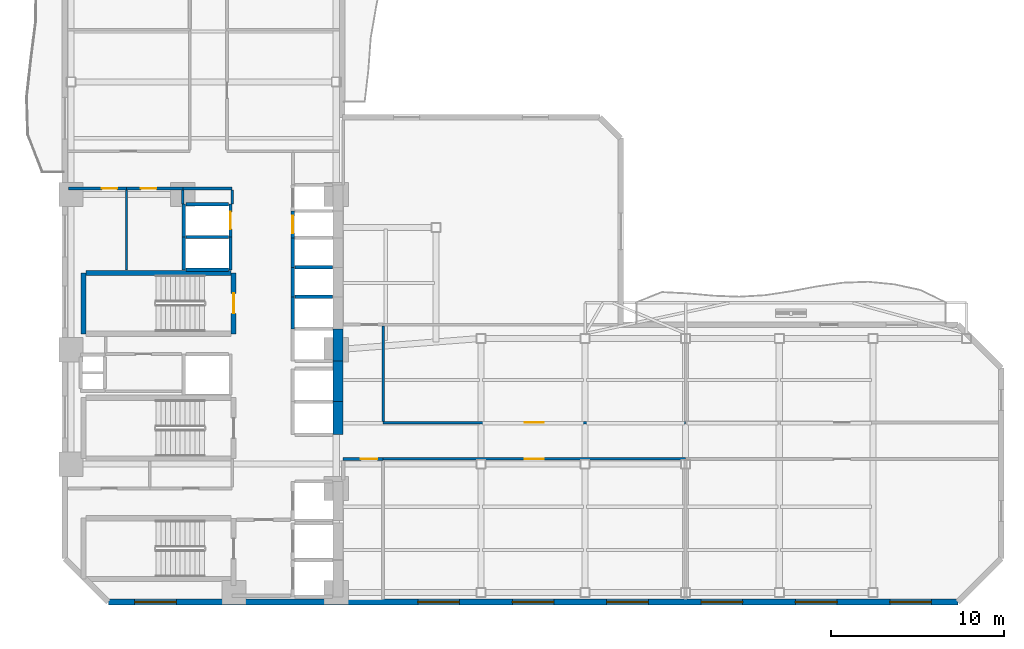
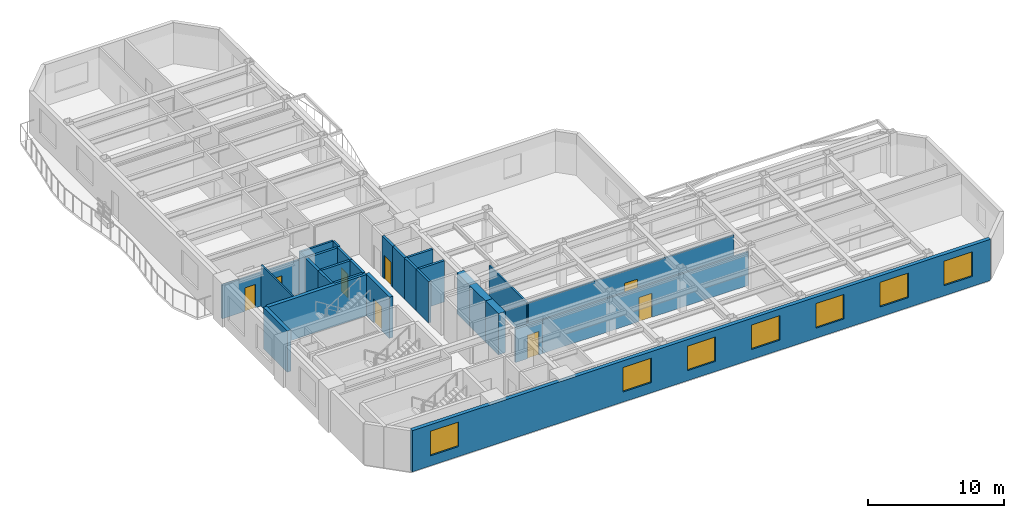
# One storey, part 4 of 10: 30 walls, 8 doors, 7 windows, 15 openings.
"""IFC4 building model written with IfcOpenShell, lengths in metres."""

import ifcopenshell
import ifcopenshell.guid

model = None  # the IFC model being written
_history = None  # IfcOwnerHistory: only IFC2X3 demands one
_inside = {}  # id of a spatial element -> (the spatial element, [elements in it])
_under = {}  # id of a project, library or spatial element -> (it, [spatial elements below it])
_declared = {}  # id of a project -> (the project, [libraries it declares])
_typed = {}  # id of a type object -> (the type object, [elements of that type])
_made_of = {}  # id of a material, layer set ... -> (it, [elements and type objects made of it])


def new_model(schema):
    """Start an empty IFC model of exactly this schema.

    Asked for "IFC4X3", IfcOpenShell would pick the latest addendum, in which some entities
    have other attributes; the version numbers below select the first issue.
    IFC2X3 requires an IfcOwnerHistory on every rooted entity: one is made here for all.
    """
    global model, _history
    if schema == "IFC4X3":
        model = ifcopenshell.file(schema_version=(4, 3, 0, 0))
    else:
        model = ifcopenshell.file(schema=schema)
    _inside.clear()
    _under.clear()
    _declared.clear()
    _typed.clear()
    _made_of.clear()
    _history = None
    if model.schema == "IFC2X3":
        org = make("IfcOrganization", Name="unknown")
        user = make(
            "IfcPersonAndOrganization",
            ThePerson=make("IfcPerson", FamilyName="unknown"),
            TheOrganization=org,
        )
        app = make(
            "IfcApplication",
            ApplicationDeveloper=org,
            Version="unknown",
            ApplicationFullName="unknown",
            ApplicationIdentifier="unknown",
        )
        _history = make(
            "IfcOwnerHistory",
            OwningUser=user,
            OwningApplication=app,
            ChangeAction="ADDED",
            CreationDate=0,
        )
    return model


def make(cls, **values):
    """One entity of the class cls with the attributes given. An attribute that is None is left unset."""
    return model.create_entity(
        cls, **{name: value for name, value in values.items() if value is not None}
    )


def rooted(cls, **values):
    """An entity with a GlobalId (a new one), such as an element, a storey or a relation."""
    return make(cls, GlobalId=ifcopenshell.guid.new(), OwnerHistory=_history, **values)


def si_unit(unit_type, name, prefix=None):
    """IfcSIUnit, for example si_unit("LENGTHUNIT", "METRE", prefix="MILLI")."""
    return make("IfcSIUnit", UnitType=unit_type, Prefix=prefix, Name=name)


def assignment(units):
    """IfcUnitAssignment: the units of a project."""
    return None if units is None else make("IfcUnitAssignment", Units=units)


def point(xyz):
    """IfcCartesianPoint."""
    return None if xyz is None else make("IfcCartesianPoint", Coordinates=xyz)


def direction(xyz):
    """IfcDirection."""
    return None if xyz is None else make("IfcDirection", DirectionRatios=xyz)


def frame(location, z_axis=None, x_axis=None):
    """IfcAxis2Placement3D, a coordinate frame: its origin and axes. An axis left out is left unset."""
    return make(
        "IfcAxis2Placement3D",
        Location=point(location),
        Axis=direction(z_axis),
        RefDirection=direction(x_axis),
    )


def frame_2d(location, x_axis=None):
    """IfcAxis2Placement2D, a coordinate frame in the plane: its origin and x axis."""
    return make(
        "IfcAxis2Placement2D", Location=point(location), RefDirection=direction(x_axis)
    )


def origin():
    """The frame at (0, 0, 0) with its axes left unset."""
    return frame((0.0, 0.0, 0.0))


def place(relative_to, where):
    """IfcLocalPlacement: puts the frame where relative to a parent placement (None: the world)."""
    return make(
        "IfcLocalPlacement", PlacementRelTo=relative_to, RelativePlacement=where
    )


def context(
    kind, dimensions, precision=None, world=None, true_north=None, identifier=None
):
    """IfcGeometricRepresentationContext, for example the 3D "Model" context."""
    return make(
        "IfcGeometricRepresentationContext",
        ContextIdentifier=identifier,
        ContextType=kind,
        CoordinateSpaceDimension=dimensions,
        Precision=precision,
        WorldCoordinateSystem=world,
        TrueNorth=true_north,
    )


def subcontext(parent, identifier, kind, view, scale=None):
    """IfcGeometricRepresentationSubContext, for example "Body" below "Model"."""
    return make(
        "IfcGeometricRepresentationSubContext",
        ContextIdentifier=identifier,
        ContextType=kind,
        ParentContext=parent,
        TargetScale=scale,
        TargetView=view,
    )


def project(units=None, contexts=None):
    """IfcProject with its units and contexts."""
    return rooted(
        "IfcProject",
        Name="project",
        RepresentationContexts=contexts,
        UnitsInContext=assignment(units),
    )


def spatial(cls, under=None, at=None, **own):
    """A site, building, storey or space (cls), placed at a placement, below another one or the project."""
    s = rooted(cls, ObjectPlacement=at, **own)
    if under is not None:
        _under.setdefault(under.id(), (under, []))[1].append(s)
    return s


def profile(cls, at=None, kind="AREA", **sizes):
    """A parametric profile (cls). Its sizes go by their IFC names, for example OverallWidth=200.0."""
    return make(cls, ProfileType=kind, Position=at, **sizes)


def rectangle(**sizes):
    """IfcRectangleProfileDef."""
    return profile("IfcRectangleProfileDef", **sizes)


def extrude(swept, where, along, depth):
    """IfcExtrudedAreaSolid: the profile swept, set in the frame where, extruded along a direction by depth."""
    return make(
        "IfcExtrudedAreaSolid",
        SweptArea=swept,
        Position=where,
        ExtrudedDirection=direction(along),
        Depth=depth,
    )


def shape(context_of_items, identifier, shape_type, items):
    """IfcShapeRepresentation: the items that make up one representation, for example the "Body"."""
    return make(
        "IfcShapeRepresentation",
        ContextOfItems=context_of_items,
        RepresentationIdentifier=identifier,
        RepresentationType=shape_type,
        Items=items,
    )


def material(Name=None, Category=None):
    """IfcMaterial."""
    return make("IfcMaterial", Name=Name, Category=Category)


def layer(
    of_material, thickness, ventilated=None, Name=None, Category=None, Priority=None
):
    """IfcMaterialLayer: one layer of a wall or slab, of a material (None: an air gap)."""
    return make(
        "IfcMaterialLayer",
        Material=of_material,
        LayerThickness=thickness,
        IsVentilated=ventilated,
        Name=Name,
        Category=Category,
        Priority=Priority,
    )


def layer_set(layers, Name=None):
    """IfcMaterialLayerSet."""
    return make("IfcMaterialLayerSet", MaterialLayers=layers, LayerSetName=Name)


def made_of(thing, what):
    """Note that an element or type object is made of a material, layer set ...; save() writes the relation."""
    if what is not None:
        _made_of.setdefault(what.id(), (what, []))[1].append(thing)
    return thing


def type_object(cls, material=None, **own):
    """A type object (cls), such as IfcWallType, which elements share."""
    return made_of(rooted(cls, **own), material)


def element(
    cls,
    number,
    at=None,
    inside=None,
    cuts=None,
    type_object=None,
    material=None,
    context=None,
    identifier="Body",
    shape_type=None,
    held_by="IfcProductDefinitionShape",
    body=None,
    shapes=None,
    **own,
):
    """One element of the class cls, such as IfcWall. Its Tag is "e" and its number.

    at: its placement. inside: the storey or other place that contains it. cuts: it is an
    opening in that element (IfcRelVoidsElement). A single representation is given by context,
    identifier, shape_type and body (its items); several are given by shapes. held_by: the class
    of the entity that holds the representations. save() writes the other relations.
    """
    e = rooted(cls, Tag="e%d" % number, ObjectPlacement=at, **own)
    if body is not None:
        shapes = [shape(context, identifier, shape_type, body)]
    if shapes is not None:
        e.Representation = make(held_by, Representations=shapes)
    if inside is not None:
        _inside.setdefault(inside.id(), (inside, []))[1].append(e)
    if cuts is not None:
        rooted(
            "IfcRelVoidsElement", RelatingBuildingElement=cuts, RelatedOpeningElement=e
        )
    if type_object is not None:
        _typed.setdefault(type_object.id(), (type_object, []))[1].append(e)
    return made_of(e, material)


def fill(opening, filler):
    """IfcRelFillsElement: the door or window that sits in an opening."""
    return rooted(
        "IfcRelFillsElement",
        RelatingOpeningElement=opening,
        RelatedBuildingElement=filler,
    )


def aggregate(whole, parts):
    """IfcRelAggregates: a whole, such as a stair, and the parts it consists of."""
    return rooted("IfcRelAggregates", RelatingObject=whole, RelatedObjects=parts)


def save(model, path):
    """Write the relations noted so far, then the file.

    IfcRelAggregates (storeys below a building ...), IfcRelContainedInSpatialStructure (elements
    in a storey), IfcRelDefinesByType, IfcRelAssociatesMaterial and IfcRelDeclares: one each for
    every whole, place, type object, material and project.
    """
    for whole, parts in _under.values():
        aggregate(whole, parts)
    for where, things in _inside.values():
        rooted(
            "IfcRelContainedInSpatialStructure",
            RelatedElements=things,
            RelatingStructure=where,
        )
    for kind, things in _typed.values():
        rooted("IfcRelDefinesByType", RelatedObjects=things, RelatingType=kind)
    for what, things in _made_of.values():
        rooted("IfcRelAssociatesMaterial", RelatedObjects=things, RelatingMaterial=what)
    for by, libraries in _declared.values():
        rooted("IfcRelDeclares", RelatingContext=by, RelatedDefinitions=libraries)
    model.write(path)


model = new_model("IFC4")

# Units and contexts
model_context = context("Model", 3, precision=1e-05, world=origin(), true_north=direction((0.0, 1.0)))
body_context = subcontext(model_context, "Body", "Model", "MODEL_VIEW")
ifc_project = project(units=[si_unit("LENGTHUNIT", "METRE"), si_unit("AREAUNIT", "SQUARE_METRE"), si_unit("VOLUMEUNIT", "CUBIC_METRE"), si_unit("PLANEANGLEUNIT", "RADIAN"), si_unit("MASSUNIT", "GRAM", prefix="KILO")], contexts=[model_context])

# Site, building, storey
site_placement = place(None, origin())
site = spatial("IfcSite", under=ifc_project, at=site_placement, CompositionType="ELEMENT")
building_placement = place(site_placement, origin())
building = spatial("IfcBuilding", under=site, at=building_placement, Name="Mawjaban Terraces University", CompositionType="ELEMENT")
storey_placement = place(building_placement, frame((0.0, 0.0, 46.60009765625)))
storey = spatial("IfcBuildingStorey", under=building, at=storey_placement, Name="L10", CompositionType="ELEMENT", Elevation=46.60009765625)

# Wall, opening, door
ifc_material_1 = material(Name="Acoustic masonry blockwork", Category="masonry")
ifc_layer_1 = layer(ifc_material_1, 0.179931640625)
ifc_layer_set_1 = layer_set([ifc_layer_1], Name="Acoustic masonry blockwork")
wall_type_1 = type_object("IfcWallType", Name="AcousticStudioWall_180", PredefinedType="PARTITIONING", material=ifc_layer_set_1)
wall_1_placement = place(storey_placement, frame((38.050048828125, 8.25, 0.0), z_axis=(0.0, 0.0, 1.0), x_axis=(1.0, 0.0, 0.0)))
wall_1 = element("IfcWall", 1, at=wall_1_placement, inside=storey, type_object=wall_type_1, Name="L10 East Academic Corridor Vestibule Partition 19", PredefinedType="PARTITIONING", context=body_context, shape_type="SweptSolid", body=[
    extrude(rectangle(XDim=2.300048828125, YDim=0.179931640625, at=frame_2d((1.14990234375, 0.0))), origin(), (0.0, 0.0, 1.0), 2.994873046875),
])
opening_1_placement = place(wall_1_placement, frame((1.02490234375, 0.0, 0.0)))
opening_1 = element("IfcOpeningElement", 2, at=opening_1_placement, cuts=wall_1, Name="Opening ID-095", PredefinedType="OPENING", context=body_context, shape_type="SweptSolid", body=[
    extrude(rectangle(XDim=0.949951171875, YDim=2.10009765625, at=frame_2d((0.47509765625, 1.050048828125))), frame((0.0, 0.099853515625, 0.0), z_axis=(0.0, -1.0, 0.0), x_axis=(1.0, 0.0, 0.0)), (0.0, 0.0, 1.0), 0.199951171875),
])
ifc_material_2 = material(Name="Powder-coated steel frame and solid acoustic timber leaf", Category="steel")
door_type_1 = type_object("IfcDoorType", Name="StudioDoor_950x2100", OperationType="NOTDEFINED", PredefinedType="DOOR", material=ifc_material_2)
door_1_placement = place(opening_1_placement, origin())
door_1 = element("IfcDoor", 3, at=door_1_placement, inside=storey, type_object=door_type_1, Name="L10 Design Studio 1 Door", OperationType="SINGLE_SWING_RIGHT", OverallHeight=2.10009765625, OverallWidth=0.949951171875, PredefinedType="DOOR", context=body_context, shape_type="SweptSolid", body=[
    extrude(rectangle(XDim=0.949951171875, YDim=2.10009765625, at=frame_2d((0.47509765625, 1.050048828125))), frame((0.0, 0.02490234375, 0.0), z_axis=(0.0, -1.0, 0.0), x_axis=(1.0, 0.0, 0.0)), (0.0, 0.0, 1.0), 0.050048828125),
])
fill(opening_1, door_1)

# Walls
ifc_material_3 = material(Name="Concrete C70/85", Category="concrete")
ifc_layer_2 = layer(ifc_material_3, 0.60009765625)
ifc_layer_set_2 = layer_set([ifc_layer_2], Name="Concrete C70/85")
wall_type_2 = type_object("IfcWallType", Name="CoreShearWall_600", PredefinedType="SHEAR", material=ifc_layer_set_2)
wall_2_placement = place(storey_placement, frame((37.75, 9.64990234375, 0.0), z_axis=(0.0, 0.0, 1.0), x_axis=(0.0, 1.0, 0.0)))
element("IfcWall", 4, at=wall_2_placement, inside=storey, type_object=wall_type_2, Name="L10 Lift PL-H1 Hoistway Wall East", PredefinedType="SHEAR", context=body_context, shape_type="SweptSolid", body=[
    extrude(rectangle(XDim=1.900146484375, YDim=0.60009765625, at=frame_2d((0.9501953125, 0.0))), origin(), (0.0, 0.0, 1.0), 3.68994140625),
])
wall_3_placement = place(storey_placement, frame((37.75, 11.550048828125, 0.0), z_axis=(0.0, 0.0, 1.0), x_axis=(0.0, 1.0, 0.0)))
element("IfcWall", 5, at=wall_3_placement, inside=storey, type_object=wall_type_2, Name="L10 Lift PL-H2 Hoistway Wall East", PredefinedType="SHEAR", context=body_context, shape_type="SweptSolid", body=[
    extrude(rectangle(XDim=2.349853515625, YDim=0.60009765625, at=frame_2d((1.1748046875, 0.0))), origin(), (0.0, 0.0, 1.0), 3.68994140625),
])
wall_4_placement = place(storey_placement, frame((37.75, 13.89990234375, 0.0), z_axis=(0.0, 0.0, 1.0), x_axis=(0.0, 1.0, 0.0)))
element("IfcWall", 6, at=wall_4_placement, inside=storey, type_object=wall_type_2, Name="L10 Lift OL-1 Hoistway Wall East", PredefinedType="SHEAR", context=body_context, shape_type="SweptSolid", body=[
    extrude(rectangle(XDim=1.85009765625, YDim=0.60009765625, at=frame_2d((0.925048828125, 0.0))), origin(), (0.0, 0.0, 1.0), 3.68994140625),
])

# Wall, opening, door
ifc_material_4 = material(Name="Fire-rated gypsum board on steel stud", Category="steel")
ifc_layer_3 = layer(ifc_material_4, 0.159912109375)
ifc_layer_set_3 = layer_set([ifc_layer_3], Name="Fire-rated gypsum board on steel stud")
wall_type_3 = type_object("IfcWallType", Name="CorridorPartition_160", PredefinedType="PARTITIONING", material=ifc_layer_set_3)
wall_5_placement = place(storey_placement, frame((25.550048828125, 23.85009765625, 0.0), z_axis=(0.0, 0.0, 1.0), x_axis=(-1.0, 0.0, 0.0)))
wall_5 = element("IfcWall", 7, at=wall_5_placement, inside=storey, type_object=wall_type_3, Name="L10 Female Toilet Partition 3", PredefinedType="PARTITIONING", context=body_context, shape_type="SweptSolid", body=[
    extrude(rectangle(XDim=3.35009765625, YDim=0.159912109375, at=frame_2d((1.675048828125, 0.0))), origin(), (0.0, 0.0, 1.0), 2.994873046875),
])
opening_2_placement = place(wall_5_placement, frame((0.534912109375, 0.0, 0.0)))
opening_2 = element("IfcOpeningElement", 8, at=opening_2_placement, cuts=wall_5, Name="Opening ID-088", PredefinedType="OPENING", context=body_context, shape_type="SweptSolid", body=[
    extrude(rectangle(XDim=0.8798828125, YDim=2.10009765625, at=frame_2d((0.43994140625, 1.050048828125))), frame((0.0, 0.08984375, 0.0), z_axis=(0.0, -1.0, 0.0), x_axis=(1.0, 0.0, 0.0)), (0.0, 0.0, 1.0), 0.179931640625),
])
door_type_2 = type_object("IfcDoorType", Name="ToiletDoor_880x2100", OperationType="NOTDEFINED", PredefinedType="DOOR", material=ifc_material_2)
door_2_placement = place(opening_2_placement, origin())
door_2 = element("IfcDoor", 9, at=door_2_placement, inside=storey, type_object=door_type_2, Name="L10 Female Toilet Door", OperationType="SINGLE_SWING_RIGHT", OverallHeight=2.10009765625, OverallWidth=0.8798828125, PredefinedType="DOOR", context=body_context, shape_type="SweptSolid", body=[
    extrude(rectangle(XDim=0.8798828125, YDim=2.10009765625, at=frame_2d((0.43994140625, 1.050048828125))), frame((0.0, 0.02490234375, 0.0), z_axis=(0.0, -1.0, 0.0), x_axis=(1.0, 0.0, 0.0)), (0.0, 0.0, 1.0), 0.050048828125),
])
fill(opening_2, door_2)

wall_6_placement = place(storey_placement, frame((28.800048828125, 23.85009765625, 0.0), z_axis=(0.0, 0.0, 1.0), x_axis=(-1.0, 0.0, 0.0)))
wall_6 = element("IfcWall", 10, at=wall_6_placement, inside=storey, type_object=wall_type_3, Name="L10 Staff Tea Pantry Partition 5", PredefinedType="PARTITIONING", context=body_context, shape_type="SweptSolid", body=[
    extrude(rectangle(XDim=3.25, YDim=0.159912109375, at=frame_2d((1.625, 0.0))), origin(), (0.0, 0.0, 1.0), 2.994873046875),
])
opening_3_placement = place(wall_6_placement, frame((1.52490234375, 0.0, 0.0)))
opening_3 = element("IfcOpeningElement", 11, at=opening_3_placement, cuts=wall_6, Name="Opening ID-090", PredefinedType="OPENING", context=body_context, shape_type="SweptSolid", body=[
    extrude(rectangle(XDim=0.89990234375, YDim=2.10009765625, at=frame_2d((0.449951171875, 1.050048828125))), frame((0.0, 0.08984375, 0.0), z_axis=(0.0, -1.0, 0.0), x_axis=(1.0, 0.0, 0.0)), (0.0, 0.0, 1.0), 0.179931640625),
])
door_type_3 = type_object("IfcDoorType", Name="OfficeDoor_900x2100", OperationType="NOTDEFINED", PredefinedType="DOOR", material=ifc_material_2)
door_3_placement = place(opening_3_placement, origin())
door_3 = element("IfcDoor", 12, at=door_3_placement, inside=storey, type_object=door_type_3, Name="L10 Staff Tea Pantry Door", OperationType="SINGLE_SWING_LEFT", OverallHeight=2.10009765625, OverallWidth=0.89990234375, PredefinedType="DOOR", context=body_context, shape_type="SweptSolid", body=[
    extrude(rectangle(XDim=0.89990234375, YDim=2.10009765625, at=frame_2d((0.449951171875, 1.050048828125))), frame((0.0, 0.02490234375, 0.0), z_axis=(0.0, -1.0, 0.0), x_axis=(1.0, 0.0, 0.0)), (0.0, 0.0, 1.0), 0.050048828125),
])
fill(opening_3, door_3)

# Walls
wall_7_placement = place(storey_placement, frame((28.800048828125, 23.85009765625, 0.0), z_axis=(0.0, 0.0, 1.0), x_axis=(1.0, 0.0, 0.0)))
element("IfcWall", 13, at=wall_7_placement, inside=storey, type_object=wall_type_3, Name="L10 North Core Cross-Corridor Partition 6", PredefinedType="PARTITIONING", context=body_context, shape_type="SweptSolid", body=[
    extrude(rectangle(XDim=2.849853515625, YDim=0.159912109375, at=frame_2d((1.4248046875, 0.0))), origin(), (0.0, 0.0, 1.0), 3.68994140625),
])
wall_8_placement = place(storey_placement, frame((31.64990234375, 23.77490234375, 0.0), z_axis=(0.0, 0.0, 1.0), x_axis=(0.0, -1.0, 0.0)))
element("IfcWall", 14, at=wall_8_placement, inside=storey, type_object=wall_type_3, Name="L10 Passenger Lift Lobby Partition 39", PredefinedType="PARTITIONING", context=body_context, shape_type="SweptSolid", body=[
    extrude(rectangle(XDim=0.824951171875, YDim=0.159912109375, at=frame_2d((0.41259765625, 0.0))), origin(), (0.0, 0.0, 1.0), 3.68994140625),
])

# Wall, openings, windows
ifc_material_5 = material(Name="Insulated terracotta rainscreen on concrete backup C40/50", Category="masonry")
ifc_layer_4 = layer(ifc_material_5, 0.320068359375)
ifc_layer_set_4 = layer_set([ifc_layer_4], Name="Insulated terracotta rainscreen on concrete backup C40/50")
wall_type_4 = type_object("IfcWallType", Name="ExtTerracottaWall_320", PredefinedType="SOLIDWALL", material=ifc_layer_set_4)
wall_9_placement = place(storey_placement, frame((24.5, 0.0, 0.0), z_axis=(0.0, 0.0, 1.0), x_axis=(1.0, 0.0, 0.0)))
wall_9 = element("IfcWall", 15, at=wall_9_placement, inside=storey, type_object=wall_type_4, Name="L10 Exterior Terracotta Wall 1", PredefinedType="SOLIDWALL", context=body_context, shape_type="SweptSolid", body=[
    extrude(rectangle(XDim=49.0, YDim=0.320068359375, at=frame_2d((24.5, 0.0))), origin(), (0.0, 0.0, 1.0), 3.68994140625),
])
opening_4_placement = place(wall_9_placement, frame((1.52197265625, 0.0, 0.89990234375)))
opening_4 = element("IfcOpeningElement", 16, at=opening_4_placement, cuts=wall_9, Name="Opening W-11", PredefinedType="OPENING", context=body_context, shape_type="SweptSolid", body=[
    extrude(rectangle(XDim=2.39990234375, YDim=2.199951171875, at=frame_2d((1.199951171875, 1.10009765625))), frame((0.0, 0.169921875, 0.0), z_axis=(0.0, -1.0, 0.0), x_axis=(1.0, 0.0, 0.0)), (0.0, 0.0, 1.0), 0.340087890625),
])
opening_5_placement = place(wall_9_placement, frame((17.85595703125, 0.0, 0.89990234375)))
opening_5 = element("IfcOpeningElement", 17, at=opening_5_placement, cuts=wall_9, Name="Opening W-11", PredefinedType="OPENING", context=body_context, shape_type="SweptSolid", body=[
    extrude(rectangle(XDim=2.39990234375, YDim=2.199951171875, at=frame_2d((1.199951171875, 1.10009765625))), frame((0.0, 0.169921875, 0.0), z_axis=(0.0, -1.0, 0.0), x_axis=(1.0, 0.0, 0.0)), (0.0, 0.0, 1.0), 0.340087890625),
])
opening_6_placement = place(wall_9_placement, frame((23.300048828125, 0.0, 0.89990234375)))
opening_6 = element("IfcOpeningElement", 18, at=opening_6_placement, cuts=wall_9, Name="Opening W-11", PredefinedType="OPENING", context=body_context, shape_type="SweptSolid", body=[
    extrude(rectangle(XDim=2.39990234375, YDim=2.199951171875, at=frame_2d((1.199951171875, 1.10009765625))), frame((0.0, 0.169921875, 0.0), z_axis=(0.0, -1.0, 0.0), x_axis=(1.0, 0.0, 0.0)), (0.0, 0.0, 1.0), 0.340087890625),
])
opening_7_placement = place(wall_9_placement, frame((28.743896484375, 0.0, 0.89990234375)))
opening_7 = element("IfcOpeningElement", 19, at=opening_7_placement, cuts=wall_9, Name="Opening W-11", PredefinedType="OPENING", context=body_context, shape_type="SweptSolid", body=[
    extrude(rectangle(XDim=2.39990234375, YDim=2.199951171875, at=frame_2d((1.199951171875, 1.10009765625))), frame((0.0, 0.169921875, 0.0), z_axis=(0.0, -1.0, 0.0), x_axis=(1.0, 0.0, 0.0)), (0.0, 0.0, 1.0), 0.340087890625),
])
opening_8_placement = place(wall_9_placement, frame((34.18896484375, 0.0, 0.89990234375)))
opening_8 = element("IfcOpeningElement", 20, at=opening_8_placement, cuts=wall_9, Name="Opening W-11", PredefinedType="OPENING", context=body_context, shape_type="SweptSolid", body=[
    extrude(rectangle(XDim=2.39990234375, YDim=2.199951171875, at=frame_2d((1.199951171875, 1.10009765625))), frame((0.0, 0.169921875, 0.0), z_axis=(0.0, -1.0, 0.0), x_axis=(1.0, 0.0, 0.0)), (0.0, 0.0, 1.0), 0.340087890625),
])
opening_9_placement = place(wall_9_placement, frame((39.633056640625, 0.0, 0.89990234375)))
opening_9 = element("IfcOpeningElement", 21, at=opening_9_placement, cuts=wall_9, Name="Opening W-11", PredefinedType="OPENING", context=body_context, shape_type="SweptSolid", body=[
    extrude(rectangle(XDim=2.39990234375, YDim=2.199951171875, at=frame_2d((1.199951171875, 1.10009765625))), frame((0.0, 0.169921875, 0.0), z_axis=(0.0, -1.0, 0.0), x_axis=(1.0, 0.0, 0.0)), (0.0, 0.0, 1.0), 0.340087890625),
])
opening_10_placement = place(wall_9_placement, frame((45.077880859375, 0.0, 0.89990234375)))
opening_10 = element("IfcOpeningElement", 22, at=opening_10_placement, cuts=wall_9, Name="Opening W-11", PredefinedType="OPENING", context=body_context, shape_type="SweptSolid", body=[
    extrude(rectangle(XDim=2.39990234375, YDim=2.199951171875, at=frame_2d((1.199951171875, 1.10009765625))), frame((0.0, 0.169921875, 0.0), z_axis=(0.0, -1.0, 0.0), x_axis=(1.0, 0.0, 0.0)), (0.0, 0.0, 1.0), 0.340087890625),
])
ifc_material_6 = material(Name="Low-E solar-control double glazing in thermally broken aluminium frame", Category="aluminium")
window_type = type_object("IfcWindowType", Name="Win_2400x2200", PartitioningType="SINGLE_PANEL", PredefinedType="WINDOW", material=ifc_material_6)
window_1_placement = place(opening_4_placement, origin())
window_1 = element("IfcWindow", 23, at=window_1_placement, inside=storey, type_object=window_type, Name="L10 Facade Window 1.1", OverallHeight=2.199951171875, OverallWidth=2.39990234375, PartitioningType="SINGLE_PANEL", PredefinedType="WINDOW", context=body_context, shape_type="SweptSolid", body=[
    extrude(rectangle(XDim=2.39990234375, YDim=2.199951171875, at=frame_2d((1.199951171875, 1.10009765625))), frame((0.0, 0.030029296875, 0.0), z_axis=(0.0, -1.0, 0.0), x_axis=(1.0, 0.0, 0.0)), (0.0, 0.0, 1.0), 0.06005859375),
])
fill(opening_4, window_1)
window_2_placement = place(opening_5_placement, origin())
window_2 = element("IfcWindow", 24, at=window_2_placement, inside=storey, type_object=window_type, Name="L10 Facade Window 1.4", OverallHeight=2.199951171875, OverallWidth=2.39990234375, PartitioningType="SINGLE_PANEL", PredefinedType="WINDOW", context=body_context, shape_type="SweptSolid", body=[
    extrude(rectangle(XDim=2.39990234375, YDim=2.199951171875, at=frame_2d((1.199951171875, 1.10009765625))), frame((0.0, 0.030029296875, 0.0), z_axis=(0.0, -1.0, 0.0), x_axis=(1.0, 0.0, 0.0)), (0.0, 0.0, 1.0), 0.06005859375),
])
fill(opening_5, window_2)
window_3_placement = place(opening_6_placement, origin())
window_3 = element("IfcWindow", 25, at=window_3_placement, inside=storey, type_object=window_type, Name="L10 Facade Window 1.5", OverallHeight=2.199951171875, OverallWidth=2.39990234375, PartitioningType="SINGLE_PANEL", PredefinedType="WINDOW", context=body_context, shape_type="SweptSolid", body=[
    extrude(rectangle(XDim=2.39990234375, YDim=2.199951171875, at=frame_2d((1.199951171875, 1.10009765625))), frame((0.0, 0.030029296875, 0.0), z_axis=(0.0, -1.0, 0.0), x_axis=(1.0, 0.0, 0.0)), (0.0, 0.0, 1.0), 0.06005859375),
])
fill(opening_6, window_3)
window_4_placement = place(opening_7_placement, origin())
window_4 = element("IfcWindow", 26, at=window_4_placement, inside=storey, type_object=window_type, Name="L10 Facade Window 1.6", OverallHeight=2.199951171875, OverallWidth=2.39990234375, PartitioningType="SINGLE_PANEL", PredefinedType="WINDOW", context=body_context, shape_type="SweptSolid", body=[
    extrude(rectangle(XDim=2.39990234375, YDim=2.199951171875, at=frame_2d((1.199951171875, 1.10009765625))), frame((0.0, 0.030029296875, 0.0), z_axis=(0.0, -1.0, 0.0), x_axis=(1.0, 0.0, 0.0)), (0.0, 0.0, 1.0), 0.06005859375),
])
fill(opening_7, window_4)
window_5_placement = place(opening_8_placement, origin())
window_5 = element("IfcWindow", 27, at=window_5_placement, inside=storey, type_object=window_type, Name="L10 Facade Window 1.7", OverallHeight=2.199951171875, OverallWidth=2.39990234375, PartitioningType="SINGLE_PANEL", PredefinedType="WINDOW", context=body_context, shape_type="SweptSolid", body=[
    extrude(rectangle(XDim=2.39990234375, YDim=2.199951171875, at=frame_2d((1.199951171875, 1.10009765625))), frame((0.0, 0.030029296875, 0.0), z_axis=(0.0, -1.0, 0.0), x_axis=(1.0, 0.0, 0.0)), (0.0, 0.0, 1.0), 0.06005859375),
])
fill(opening_8, window_5)
window_6_placement = place(opening_9_placement, origin())
window_6 = element("IfcWindow", 28, at=window_6_placement, inside=storey, type_object=window_type, Name="L10 Facade Window 1.8", OverallHeight=2.199951171875, OverallWidth=2.39990234375, PartitioningType="SINGLE_PANEL", PredefinedType="WINDOW", context=body_context, shape_type="SweptSolid", body=[
    extrude(rectangle(XDim=2.39990234375, YDim=2.199951171875, at=frame_2d((1.199951171875, 1.10009765625))), frame((0.0, 0.030029296875, 0.0), z_axis=(0.0, -1.0, 0.0), x_axis=(1.0, 0.0, 0.0)), (0.0, 0.0, 1.0), 0.06005859375),
])
fill(opening_9, window_6)
window_7_placement = place(opening_10_placement, origin())
window_7 = element("IfcWindow", 29, at=window_7_placement, inside=storey, type_object=window_type, Name="L10 Facade Window 1.9", OverallHeight=2.199951171875, OverallWidth=2.39990234375, PartitioningType="SINGLE_PANEL", PredefinedType="WINDOW", context=body_context, shape_type="SweptSolid", body=[
    extrude(rectangle(XDim=2.39990234375, YDim=2.199951171875, at=frame_2d((1.199951171875, 1.10009765625))), frame((0.0, 0.030029296875, 0.0), z_axis=(0.0, -1.0, 0.0), x_axis=(1.0, 0.0, 0.0)), (0.0, 0.0, 1.0), 0.06005859375),
])
fill(opening_10, window_7)

# Walls
ifc_material_7 = material(Name="Concrete C40/50", Category="concrete")
ifc_layer_5 = layer(ifc_material_7, 0.199951171875)
ifc_layer_set_5 = layer_set([ifc_layer_5], Name="Concrete C40/50")
wall_type_5 = type_object("IfcWallType", Name="FireLobbyWall_200", PredefinedType="SOLIDWALL", material=ifc_layer_set_5)
wall_10_placement = place(storey_placement, frame((35.14990234375, 17.60009765625, 0.0), z_axis=(0.0, 0.0, 1.0), x_axis=(0.0, -1.0, 0.0)))
element("IfcWall", 30, at=wall_10_placement, inside=storey, type_object=wall_type_5, Name="L10 Lift OL-2 Hoistway Wall West", PredefinedType="SOLIDWALL", context=body_context, shape_type="SweptSolid", body=[
    extrude(rectangle(XDim=1.85009765625, YDim=0.199951171875, at=frame_2d((0.925048828125, 0.0))), origin(), (0.0, 0.0, 1.0), 3.68994140625),
])
wall_11_placement = place(storey_placement, frame((37.419921875, 17.60009765625, 0.0), z_axis=(0.0, 0.0, 1.0), x_axis=(-1.0, 0.0, 0.0)))
element("IfcWall", 31, at=wall_11_placement, inside=storey, type_object=wall_type_5, Name="L10 Lift OL-2 Hoistway Wall North", PredefinedType="SOLIDWALL", context=body_context, shape_type="SweptSolid", body=[
    extrude(rectangle(XDim=2.139892578125, YDim=0.199951171875, at=frame_2d((1.06982421875, 0.0))), origin(), (0.0, 0.0, 1.0), 3.68994140625),
])
wall_12_placement = place(storey_placement, frame((35.14990234375, 19.300048828125, 0.0), z_axis=(0.0, 0.0, 1.0), x_axis=(0.0, -1.0, 0.0)))
element("IfcWall", 32, at=wall_12_placement, inside=storey, type_object=wall_type_5, Name="L10 Lift PL-M1 Hoistway Wall West", PredefinedType="SOLIDWALL", context=body_context, shape_type="SweptSolid", body=[
    extrude(rectangle(XDim=1.699951171875, YDim=0.199951171875, at=frame_2d((0.85009765625, 0.0))), origin(), (0.0, 0.0, 1.0), 3.68994140625),
])
wall_13_placement = place(storey_placement, frame((37.419921875, 19.300048828125, 0.0), z_axis=(0.0, 0.0, 1.0), x_axis=(-1.0, 0.0, 0.0)))
element("IfcWall", 33, at=wall_13_placement, inside=storey, type_object=wall_type_5, Name="L10 Lift PL-M1 Hoistway Wall North", PredefinedType="SOLIDWALL", context=body_context, shape_type="SweptSolid", body=[
    extrude(rectangle(XDim=2.139892578125, YDim=0.199951171875, at=frame_2d((1.06982421875, 0.0))), origin(), (0.0, 0.0, 1.0), 3.68994140625),
])
wall_14_placement = place(storey_placement, frame((35.14990234375, 21.0, 0.0), z_axis=(0.0, 0.0, 1.0), x_axis=(0.0, -1.0, 0.0)))
element("IfcWall", 34, at=wall_14_placement, inside=storey, type_object=wall_type_5, Name="L10 Lift PL-M2 Hoistway Wall West", PredefinedType="SOLIDWALL", context=body_context, shape_type="SweptSolid", body=[
    extrude(rectangle(XDim=1.699951171875, YDim=0.199951171875, at=frame_2d((0.85009765625, 0.0))), origin(), (0.0, 0.0, 1.0), 3.68994140625),
])
for number, where, z_axis, x_axis, name in (
    (35, (28.85009765625, 21.050048828125, 0.0), (0.0, 0.0, 1.0), (0.0, -1.0, 0.0), "L10 Lift PL-M3 Hoistway Wall West"),
    (36, (31.550048828125, 19.14990234375, 0.0), (0.0, 0.0, 1.0), (0.0, 1.0, 0.0), "L10 Lift PL-M3 Hoistway Wall East"),
):
    element("IfcWall", number, at=place(storey_placement, frame(where, z_axis=z_axis, x_axis=x_axis)), inside=storey, type_object=wall_type_5, Name=name, PredefinedType="SOLIDWALL", context=body_context, shape_type="SweptSolid", body=[
        extrude(rectangle(XDim=1.900146484375, YDim=0.199951171875, at=frame_2d((0.9501953125, 0.0))), origin(), (0.0, 0.0, 1.0), 3.68994140625),
    ])
for number, where, z_axis, x_axis, name in (
    (37, (28.97998046875, 19.14990234375, 0.0), (0.0, 0.0, 1.0), (1.0, 0.0, 0.0), "L10 Lift PL-M3 Hoistway Wall South"),
    (38, (31.419921875, 21.050048828125, 0.0), (0.0, 0.0, 1.0), (-1.0, 0.0, 0.0), "L10 Lift PL-M3 Hoistway Wall North"),
):
    element("IfcWall", number, at=place(storey_placement, frame(where, z_axis=z_axis, x_axis=x_axis)), inside=storey, type_object=wall_type_5, Name=name, PredefinedType="SOLIDWALL", context=body_context, shape_type="SweptSolid", body=[
        extrude(rectangle(XDim=2.43994140625, YDim=0.199951171875, at=frame_2d((1.219970703125, 0.0))), origin(), (0.0, 0.0, 1.0), 3.68994140625),
    ])

# Wall, opening, door
wall_15_placement = place(storey_placement, frame((35.14990234375, 22.550048828125, 0.0), z_axis=(0.0, 0.0, 1.0), x_axis=(0.0, -1.0, 0.0)))
wall_15 = element("IfcWall", 39, at=wall_15_placement, inside=storey, type_object=wall_type_5, Name="L10 Lift PL-L1 Hoistway Wall West", PredefinedType="SOLIDWALL", context=body_context, shape_type="SweptSolid", body=[
    extrude(rectangle(XDim=1.550048828125, YDim=0.199951171875, at=frame_2d((0.77490234375, 0.0))), origin(), (0.0, 0.0, 1.0), 3.68994140625),
])
opening_11_placement = place(wall_15_placement, frame((0.27490234375, 0.0, 0.0)))
opening_11 = element("IfcOpeningElement", 40, at=opening_11_placement, cuts=wall_15, Name="Opening LD-PL-L1", PredefinedType="OPENING", context=body_context, shape_type="SweptSolid", body=[
    extrude(rectangle(XDim=1.0, YDim=2.10009765625, at=frame_2d((0.5, 1.050048828125))), frame((0.0, 0.10986328125, 0.0), z_axis=(0.0, -1.0, 0.0), x_axis=(1.0, 0.0, 0.0)), (0.0, 0.0, 1.0), 0.219970703125),
])
ifc_material_8 = material(Name="Powder-coated steel frame and fire-rated steel-faced leaf", Category="steel")
door_type_4 = type_object("IfcDoorType", Name="LiftLandingSliding_1000x2100", OperationType="NOTDEFINED", PredefinedType="DOOR", material=ifc_material_8)
door_4_placement = place(opening_11_placement, origin())
door_4 = element("IfcDoor", 41, at=door_4_placement, inside=storey, type_object=door_type_4, Name="L10 Lift PL-L1 Sliding Landing Door", OperationType="DOUBLE_DOOR_SLIDING", OverallHeight=2.10009765625, OverallWidth=1.0, PredefinedType="DOOR", context=body_context, shape_type="SweptSolid", body=[
    extrude(rectangle(XDim=1.0, YDim=2.10009765625, at=frame_2d((0.5, 1.050048828125))), frame((0.0, 0.02490234375, 0.0), z_axis=(0.0, -1.0, 0.0), x_axis=(1.0, 0.0, 0.0)), (0.0, 0.0, 1.0), 0.050048828125),
])
fill(opening_11, door_4)

# Wall
wall_16_placement = place(storey_placement, frame((28.85009765625, 22.949951171875, 0.0), z_axis=(0.0, 0.0, 1.0), x_axis=(0.0, -1.0, 0.0)))
element("IfcWall", 42, at=wall_16_placement, inside=storey, type_object=wall_type_5, Name="L10 Lift PL-L3 Hoistway Wall West", PredefinedType="SOLIDWALL", context=body_context, shape_type="SweptSolid", body=[
    extrude(rectangle(XDim=1.89990234375, YDim=0.199951171875, at=frame_2d((0.949951171875, 0.0))), origin(), (0.0, 0.0, 1.0), 3.68994140625),
])

# Wall, opening, door
wall_17_placement = place(storey_placement, frame((31.550048828125, 21.050048828125, 0.0), z_axis=(0.0, 0.0, 1.0), x_axis=(0.0, 1.0, 0.0)))
wall_17 = element("IfcWall", 43, at=wall_17_placement, inside=storey, type_object=wall_type_5, Name="L10 Lift PL-L3 Hoistway Wall East", PredefinedType="SOLIDWALL", context=body_context, shape_type="SweptSolid", body=[
    extrude(rectangle(XDim=1.89990234375, YDim=0.199951171875, at=frame_2d((0.949951171875, 0.0))), origin(), (0.0, 0.0, 1.0), 3.68994140625),
])
opening_12_placement = place(wall_17_placement, frame((0.449951171875, 0.0, 0.0)))
opening_12 = element("IfcOpeningElement", 44, at=opening_12_placement, cuts=wall_17, Name="Opening LD-PL-L3", PredefinedType="OPENING", context=body_context, shape_type="SweptSolid", body=[
    extrude(rectangle(XDim=1.0, YDim=2.10009765625, at=frame_2d((0.5, 1.050048828125))), frame((0.0, 0.10986328125, 0.0), z_axis=(0.0, -1.0, 0.0), x_axis=(1.0, 0.0, 0.0)), (0.0, 0.0, 1.0), 0.219970703125),
])
door_5_placement = place(opening_12_placement, origin())
door_5 = element("IfcDoor", 45, at=door_5_placement, inside=storey, type_object=door_type_4, Name="L10 Lift PL-L3 Sliding Landing Door", OperationType="DOUBLE_DOOR_SLIDING", OverallHeight=2.10009765625, OverallWidth=1.0, PredefinedType="DOOR", context=body_context, shape_type="SweptSolid", body=[
    extrude(rectangle(XDim=1.0, YDim=2.10009765625, at=frame_2d((0.5, 1.050048828125))), frame((0.0, 0.02490234375, 0.0), z_axis=(0.0, -1.0, 0.0), x_axis=(1.0, 0.0, 0.0)), (0.0, 0.0, 1.0), 0.050048828125),
])
fill(opening_12, door_5)

# Wall
wall_18_placement = place(storey_placement, frame((31.429931640625, 22.949951171875, 0.0), z_axis=(0.0, 0.0, 1.0), x_axis=(-1.0, 0.0, 0.0)))
element("IfcWall", 46, at=wall_18_placement, inside=storey, type_object=wall_type_5, Name="L10 Lift PL-L3 Hoistway Wall North", PredefinedType="SOLIDWALL", context=body_context, shape_type="SweptSolid", body=[
    extrude(rectangle(XDim=2.4599609375, YDim=0.199951171875, at=frame_2d((1.22998046875, 0.0))), origin(), (0.0, 0.0, 1.0), 3.68994140625),
])

# Wall, opening, door
ifc_material_9 = material(Name="Moisture-resistant gypsum board on steel stud", Category="steel")
ifc_layer_6 = layer(ifc_material_9, 0.14501953125)
ifc_layer_set_6 = layer_set([ifc_layer_6], Name="Moisture-resistant gypsum board on steel stud")
wall_type_6 = type_object("IfcWallType", Name="LabPartition_145", PredefinedType="PARTITIONING", material=ifc_layer_set_6)
wall_19_placement = place(storey_placement, frame((40.35009765625, 8.25, 0.0), z_axis=(0.0, 0.0, 1.0), x_axis=(1.0, 0.0, 0.0)))
wall_19 = element("IfcWall", 47, at=wall_19_placement, inside=storey, type_object=wall_type_6, Name="L10 East Academic Spine Corridor Partition 20", PredefinedType="PARTITIONING", context=body_context, shape_type="SweptSolid", body=[
    extrude(rectangle(XDim=17.449951171875, YDim=0.14501953125, at=frame_2d((8.72509765625, 0.0))), origin(), (0.0, 0.0, 1.0), 2.994873046875),
])
opening_13_placement = place(wall_19_placement, frame((8.175048828125, 0.0, 0.0)))
opening_13 = element("IfcOpeningElement", 48, at=opening_13_placement, cuts=wall_19, Name="Opening ID-110", PredefinedType="OPENING", context=body_context, shape_type="SweptSolid", body=[
    extrude(rectangle(XDim=1.10009765625, YDim=2.14990234375, at=frame_2d((0.550048828125, 1.074951171875))), frame((0.0, 0.08251953125, 0.0), z_axis=(0.0, -1.0, 0.0), x_axis=(1.0, 0.0, 0.0)), (0.0, 0.0, 1.0), 0.1650390625),
])
door_type_5 = type_object("IfcDoorType", Name="LabDoor_1100x2150", OperationType="NOTDEFINED", PredefinedType="DOOR", material=ifc_material_2)
door_6_placement = place(opening_13_placement, origin())
door_6 = element("IfcDoor", 49, at=door_6_placement, inside=storey, type_object=door_type_5, Name="L10 Computational Laboratory 2 Door", OperationType="SINGLE_SWING_LEFT", OverallHeight=2.14990234375, OverallWidth=1.10009765625, PredefinedType="DOOR", context=body_context, shape_type="SweptSolid", body=[
    extrude(rectangle(XDim=1.10009765625, YDim=2.14990234375, at=frame_2d((0.550048828125, 1.074951171875))), frame((0.0, 0.02490234375, 0.0), z_axis=(0.0, -1.0, 0.0), x_axis=(1.0, 0.0, 0.0)), (0.0, 0.0, 1.0), 0.050048828125),
])
fill(opening_13, door_6)

wall_20_placement = place(storey_placement, frame((57.800048828125, 10.35009765625, 0.0), z_axis=(0.0, 0.0, 1.0), x_axis=(-1.0, 0.0, 0.0)))
wall_20 = element("IfcWall", 50, at=wall_20_placement, inside=storey, type_object=wall_type_6, Name="L10 East Academic Spine Corridor Partition 24", PredefinedType="PARTITIONING", context=body_context, shape_type="SweptSolid", body=[
    extrude(rectangle(XDim=17.449951171875, YDim=0.14501953125, at=frame_2d((8.72509765625, 0.0))), origin(), (0.0, 0.0, 1.0), 3.226806640625),
])
opening_14_placement = place(wall_20_placement, frame((8.175048828125, 0.0, 0.0)))
opening_14 = element("IfcOpeningElement", 51, at=opening_14_placement, cuts=wall_20, Name="Opening ID-110", PredefinedType="OPENING", context=body_context, shape_type="SweptSolid", body=[
    extrude(rectangle(XDim=1.10009765625, YDim=2.14990234375, at=frame_2d((0.550048828125, 1.074951171875))), frame((0.0, 0.08251953125, 0.0), z_axis=(0.0, -1.0, 0.0), x_axis=(1.0, 0.0, 0.0)), (0.0, 0.0, 1.0), 0.1650390625),
])
door_7_placement = place(opening_14_placement, origin())
door_7 = element("IfcDoor", 52, at=door_7_placement, inside=storey, type_object=door_type_5, Name="L10 Teaching Laboratory 3 Door", OperationType="SINGLE_SWING_RIGHT", OverallHeight=2.14990234375, OverallWidth=1.10009765625, PredefinedType="DOOR", context=body_context, shape_type="SweptSolid", body=[
    extrude(rectangle(XDim=1.10009765625, YDim=2.14990234375, at=frame_2d((0.550048828125, 1.074951171875))), frame((0.0, 0.02490234375, 0.0), z_axis=(0.0, -1.0, 0.0), x_axis=(1.0, 0.0, 0.0)), (0.0, 0.0, 1.0), 0.050048828125),
])
fill(opening_14, door_7)

# Walls
wall_21_placement = place(storey_placement, frame((40.35009765625, 10.41796875, 0.0), z_axis=(0.0, 0.0, 1.0), x_axis=(0.0, 1.0, 0.0)))
element("IfcWall", 53, at=wall_21_placement, inside=storey, type_object=wall_type_6, Name="L10 East Academic Corridor Vestibule Partition 44", PredefinedType="PARTITIONING", context=body_context, shape_type="SweptSolid", body=[
    extrude(rectangle(XDim=5.507080078125, YDim=0.14501953125, at=frame_2d((2.75341796875, 0.0))), origin(), (0.0, 0.0, 1.0), 3.226806640625),
])
ifc_material_10 = material(Name="Gypsum plasterboard on steel stud", Category="steel")
ifc_layer_7 = layer(ifc_material_10, 0.125)
ifc_layer_set_7 = layer_set([ifc_layer_7], Name="Gypsum plasterboard on steel stud")
wall_type_7 = type_object("IfcWallType", Name="OfficePartition_125", PredefinedType="PARTITIONING", material=ifc_layer_set_7)
wall_22_placement = place(storey_placement, frame((28.800048828125, 22.949951171875, 0.0), z_axis=(0.0, 0.0, 1.0), x_axis=(0.0, 1.0, 0.0)))
element("IfcWall", 54, at=wall_22_placement, inside=storey, type_object=wall_type_7, Name="L10 Staff Tea Pantry Partition 29", PredefinedType="PARTITIONING", context=body_context, shape_type="SweptSolid", body=[
    extrude(rectangle(XDim=0.824951171875, YDim=0.125, at=frame_2d((0.41259765625, 0.0))), origin(), (0.0, 0.0, 1.0), 3.68994140625),
])
ifc_material_11 = material(Name="Concrete C60/75", Category="concrete")
ifc_layer_8 = layer(ifc_material_11, 0.300048828125)
ifc_layer_set_8 = layer_set([ifc_layer_8], Name="Concrete C60/75")
wall_type_8 = type_object("IfcWallType", Name="StairShaftWall_300", PredefinedType="SHEAR", material=ifc_layer_set_8)
wall_23_placement = place(storey_placement, frame((31.580078125, 18.97998046875, 0.0), z_axis=(0.0, 0.0, 1.0), x_axis=(-1.0, 0.0, 0.0)))
element("IfcWall", 55, at=wall_23_placement, inside=storey, type_object=wall_type_8, Name="L10 ST-2 Stair Shaft Wall 1", PredefinedType="SHEAR", context=body_context, shape_type="SweptSolid", body=[
    extrude(rectangle(XDim=8.360107421875, YDim=0.300048828125, at=frame_2d((4.18017578125, 0.0))), origin(), (0.0, 0.0, 1.0), 3.68994140625),
])
wall_24_placement = place(storey_placement, frame((23.070068359375, 18.97998046875, 0.0), z_axis=(0.0, 0.0, 1.0), x_axis=(0.0, -1.0, 0.0)))
element("IfcWall", 56, at=wall_24_placement, inside=storey, type_object=wall_type_8, Name="L10 ST-2 Stair Shaft Wall 2", PredefinedType="SHEAR", context=body_context, shape_type="SweptSolid", body=[
    extrude(rectangle(XDim=3.510009765625, YDim=0.300048828125, at=frame_2d((1.7548828125, 0.0))), origin(), (0.0, 0.0, 1.0), 3.68994140625),
])

# Wall, opening, door
wall_25_placement = place(storey_placement, frame((31.72998046875, 15.469970703125, 0.0), z_axis=(0.0, 0.0, 1.0), x_axis=(0.0, 1.0, 0.0)))
wall_25 = element("IfcWall", 57, at=wall_25_placement, inside=storey, type_object=wall_type_8, Name="L10 ST-2 Stair Shaft Wall 4", PredefinedType="SHEAR", context=body_context, shape_type="SweptSolid", body=[
    extrude(rectangle(XDim=3.510009765625, YDim=0.300048828125, at=frame_2d((1.7548828125, 0.0))), origin(), (0.0, 0.0, 1.0), 3.68994140625),
])
opening_15_placement = place(wall_25_placement, frame((1.179931640625, 0.0, 0.0)))
opening_15 = element("IfcOpeningElement", 58, at=opening_15_placement, cuts=wall_25, Name="Opening FD-115", PredefinedType="OPENING", context=body_context, shape_type="SweptSolid", body=[
    extrude(rectangle(XDim=1.14990234375, YDim=2.14990234375, at=frame_2d((0.574951171875, 1.074951171875))), frame((0.0, 0.159912109375, 0.0), z_axis=(0.0, -1.0, 0.0), x_axis=(1.0, 0.0, 0.0)), (0.0, 0.0, 1.0), 0.320068359375),
])
door_type_6 = type_object("IfcDoorType", Name="FireStairDoor_1150x2150", OperationType="NOTDEFINED", PredefinedType="DOOR", material=ifc_material_8)
door_8_placement = place(opening_15_placement, origin())
door_8 = element("IfcDoor", 59, at=door_8_placement, inside=storey, type_object=door_type_6, Name="L10 ST-2 Pressurised Stair Fire Door", OperationType="SINGLE_SWING_RIGHT", OverallHeight=2.14990234375, OverallWidth=1.14990234375, PredefinedType="DOOR", context=body_context, shape_type="SweptSolid", body=[
    extrude(rectangle(XDim=1.14990234375, YDim=2.14990234375, at=frame_2d((0.574951171875, 1.074951171875))), frame((0.0, 0.02490234375, 0.0), z_axis=(0.0, -1.0, 0.0), x_axis=(1.0, 0.0, 0.0)), (0.0, 0.0, 1.0), 0.050048828125),
])
fill(opening_15, door_8)

# Wall
ifc_material_12 = material(Name="Cement-board wet-room partition", Category="masonry")
ifc_layer_9 = layer(ifc_material_12, 0.135009765625)
ifc_layer_set_9 = layer_set([ifc_layer_9], Name="Cement-board wet-room partition")
wall_type_9 = type_object("IfcWallType", Name="WetRoomPartition_135", PredefinedType="PARTITIONING", material=ifc_layer_set_9)
wall_26_placement = place(storey_placement, frame((25.550048828125, 19.159912109375, 0.0), z_axis=(0.0, 0.0, 1.0), x_axis=(0.0, 1.0, 0.0)))
element("IfcWall", 60, at=wall_26_placement, inside=storey, type_object=wall_type_9, Name="L10 Female Toilet Partition 27", PredefinedType="PARTITIONING", context=body_context, shape_type="SweptSolid", body=[
    extrude(rectangle(XDim=4.614990234375, YDim=0.135009765625, at=frame_2d((2.3076171875, 0.0))), origin(), (0.0, 0.0, 1.0), 3.68994140625),
])

save(model, "model.ifc")
